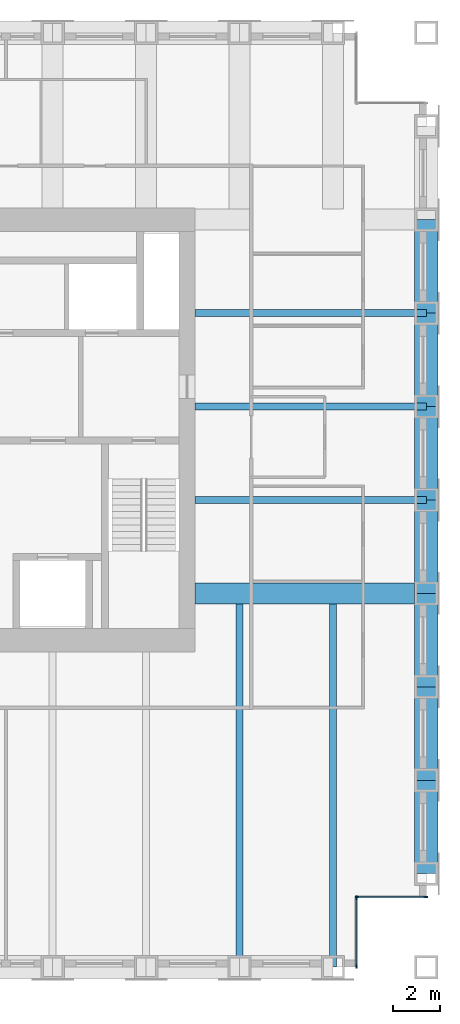
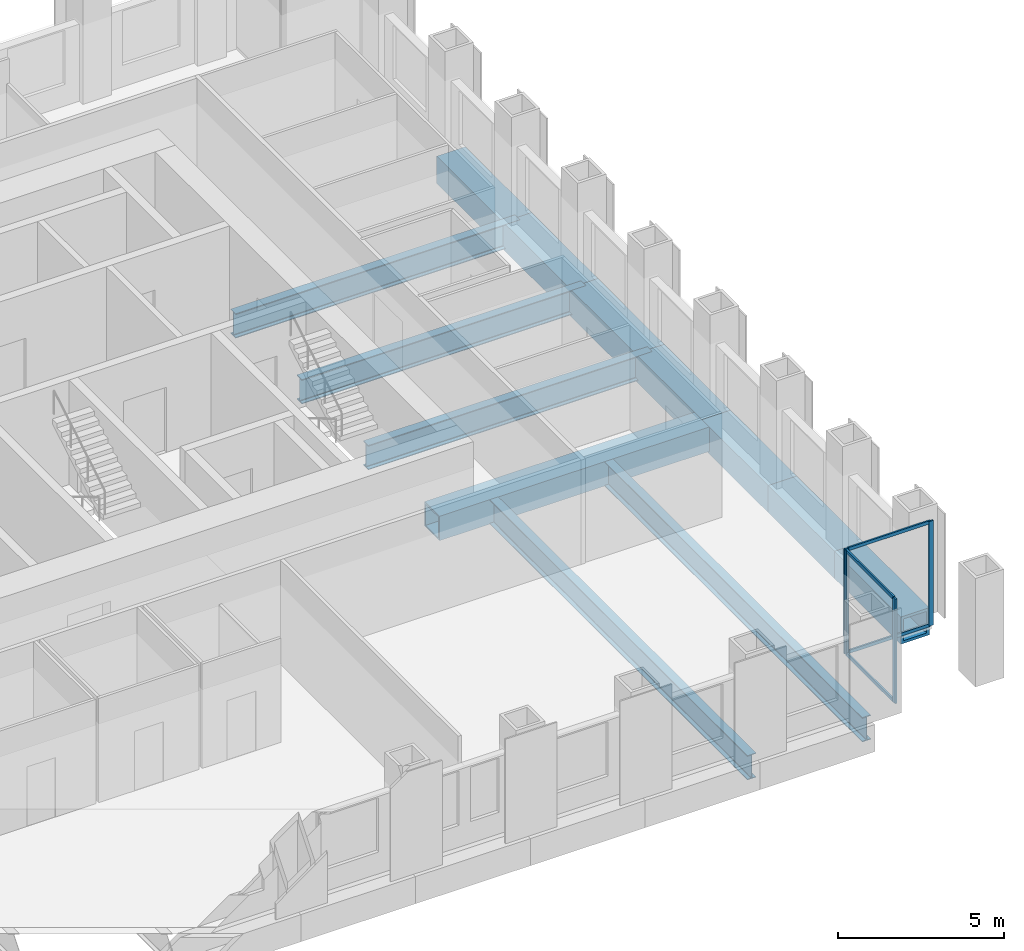
# One storey, part 4 of 13: 13 beams, 8 members, 2 elements without a shape of their own.
"""IFC4 building model written with IfcOpenShell, lengths in metres."""

from ifc_helpers import new_model, si_unit, direction, frame, origin, origin_2d, place, context, subcontext, project, spatial, rectangle, hollow_rectangle, i_section, extrude, material, material_profile, profile_set, type_object, element, aggregate, save


model = new_model("IFC4")

# Units and contexts
model_context = context("Model", 3, precision=1e-05, world=origin(), true_north=direction((0.0, 1.0)))
body_context = subcontext(model_context, "Body", "Model", "MODEL_VIEW")
ifc_project = project(units=[si_unit("LENGTHUNIT", "METRE"), si_unit("AREAUNIT", "SQUARE_METRE"), si_unit("VOLUMEUNIT", "CUBIC_METRE"), si_unit("PLANEANGLEUNIT", "RADIAN"), si_unit("MASSUNIT", "GRAM", prefix="KILO")], contexts=[model_context])

# Site, building, storey
site_placement = place(None, origin())
site = spatial("IfcSite", under=ifc_project, at=site_placement, CompositionType="ELEMENT")
building_placement = place(site_placement, origin())
building = spatial("IfcBuilding", under=site, at=building_placement, Name="Rimbunsela Tower", CompositionType="ELEMENT")
storey_placement = place(building_placement, frame((0.0, 0.0, 286.199951171875)))
storey = spatial("IfcBuildingStorey", under=building, at=storey_placement, Name="L69", CompositionType="ELEMENT", Elevation=286.199951171875)

# Beams
ifc_material_1 = material(Name="Steel BJ 55 (fy 410 MPa)", Category="steel")
ifc_material_profile_1 = material_profile(ifc_material_1, hollow_rectangle(XDim=1.0, YDim=1.0, WallThickness=0.10009765625, at=origin_2d()), Name="BOX 1000x1000x100")
ifc_profile_set_1 = profile_set([ifc_material_profile_1], Name="Steel BJ 55 (fy 410 MPa)")
beam_type_1 = type_object("IfcBeamType", Name="Beam BOX 1000x1000x100", PredefinedType="BEAM", material=ifc_profile_set_1)
for number, where, z_axis, x_axis, name in (
    (1, (46.0, 8.0, -0.64990234375), (0.0, 1.0, 0.0), (-1.0, 0.0, 0.0), "Beam B3 L69"),
    (2, (46.0, 12.0, -0.64990234375), (0.0, 1.0, 0.0), (-1.0, 0.0, 0.0), "Beam B3 L69"),
    (3, (46.0, 16.0, -0.64990234375), (0.0, 1.0, 0.0), (-1.0, 0.0, 0.0), "Beam B3 L69"),
    (4, (46.0, 20.0, -0.64990234375), (0.0, 1.0, 0.0), (-1.0, 0.0, 0.0), "Beam B3 L69"),
    (5, (46.0, 24.0, -0.64990234375), (0.0, 1.0, 0.0), (-1.0, 0.0, 0.0), "Beam B3 L69"),
    (6, (46.0, 28.0, -0.64990234375), (0.0, 1.0, 0.0), (-1.0, 0.0, 0.0), "Beam B3 L69"),
    (7, (46.0, 32.0, -0.64990234375), (0.0, 1.0, 0.0), (-1.0, 0.0, 0.0), "Beam B3 L69"),
):
    element("IfcBeam", number, at=place(storey_placement, frame(where, z_axis=z_axis, x_axis=x_axis)), inside=storey, type_object=beam_type_1, Name=name, PredefinedType="BEAM", context=body_context, shape_type="SweptSolid", body=[
        extrude(hollow_rectangle(XDim=1.0, YDim=1.0, WallThickness=0.10009765625, at=origin_2d()), origin(), (0.0, 0.0, 1.0), 4.0),
    ])
ifc_material_2 = material(Name="Steel BJ 55 (fy 410 MPa)", Category="steel")
ifc_material_profile_2 = material_profile(ifc_material_2, hollow_rectangle(XDim=0.89990234375, YDim=0.89990234375, WallThickness=0.06005859375, at=origin_2d()), Name="BOX 900x900x60")
ifc_profile_set_2 = profile_set([ifc_material_profile_2], Name="Steel BJ 55 (fy 410 MPa)")
beam_type_2 = type_object("IfcBeamType", Name="Beam BOX 900x900x60", PredefinedType="BEAM", material=ifc_profile_set_2)
beam_placement = place(storey_placement, frame((36.10009765625, 20.0, -0.599853515625), z_axis=(1.0, 0.0, 0.0), x_axis=(0.0, 1.0, 0.0)))
element("IfcBeam", 8, at=beam_placement, inside=storey, type_object=beam_type_2, Name="Beam B1 L69", PredefinedType="BEAM", context=body_context, shape_type="SweptSolid", body=[
    extrude(hollow_rectangle(XDim=0.89990234375, YDim=0.89990234375, WallThickness=0.06005859375, at=origin_2d()), origin(), (0.0, 0.0, 1.0), 9.89990234375),
])
ifc_material_3 = material(Name="Steel BJ 55 (fy 410 MPa)", Category="steel")
ifc_material_profile_3 = material_profile(ifc_material_3, i_section(OverallWidth=0.300048828125, OverallDepth=0.89990234375, WebThickness=0.01611328125, FlangeThickness=0.028076171875, FilletRadius=0.028076171875, at=origin_2d()), Name="H 900x300x16x28")
ifc_profile_set_3 = profile_set([ifc_material_profile_3], Name="Steel BJ 55 (fy 410 MPa)")
beam_type_3 = type_object("IfcBeamType", Name="Beam H 900x300x16x28", PredefinedType="BEAM", material=ifc_profile_set_3)
for number, where, z_axis, x_axis, name in (
    (9, (36.10009765625, 24.0, -0.599853515625), (1.0, 0.0, 0.0), (0.0, 1.0, 0.0), "Beam B2 L69"),
    (10, (36.10009765625, 28.0, -0.599853515625), (1.0, 0.0, 0.0), (0.0, 1.0, 0.0), "Beam B2 L69"),
    (11, (36.10009765625, 32.0, -0.599853515625), (1.0, 0.0, 0.0), (0.0, 1.0, 0.0), "Beam B2 L69"),
):
    element("IfcBeam", number, at=place(storey_placement, frame(where, z_axis=z_axis, x_axis=x_axis)), inside=storey, type_object=beam_type_3, Name=name, PredefinedType="BEAM", context=body_context, shape_type="SweptSolid", body=[
        extrude(i_section(OverallWidth=0.300048828125, OverallDepth=0.89990234375, WebThickness=0.01611328125, FlangeThickness=0.028076171875, FilletRadius=0.028076171875, at=origin_2d()), origin(), (0.0, 0.0, 1.0), 9.89990234375),
    ])
for number, where, z_axis, x_axis, name in (
    (12, (38.0, 4.0, -0.599853515625), (0.0, 1.0, 0.0), (-1.0, 0.0, 0.0), "Beam B2 L69"),
    (13, (42.0, 4.0, -0.599853515625), (0.0, 1.0, 0.0), (-1.0, 0.0, 0.0), "Beam B2 L69"),
):
    element("IfcBeam", number, at=place(storey_placement, frame(where, z_axis=z_axis, x_axis=x_axis)), inside=storey, type_object=beam_type_3, Name=name, PredefinedType="BEAM", context=body_context, shape_type="SweptSolid", body=[
        extrude(i_section(OverallWidth=0.300048828125, OverallDepth=0.89990234375, WebThickness=0.01611328125, FlangeThickness=0.028076171875, FilletRadius=0.028076171875, at=origin_2d()), origin(), (0.0, 0.0, 1.0), 15.550048828125),
    ])

# Curtain wall, members
ifc_material_4 = material(Name="Aluminium curtain wall", Category="aluminium")
curtain_wall_type = type_object("IfcCurtainWallType", Name="Corner glazing", PredefinedType="USERDEFINED", material=ifc_material_4)
curtain_wall_1_placement = place(storey_placement, origin())
curtain_wall_1 = element("IfcCurtainWall", 14, at=curtain_wall_1_placement, inside=storey, type_object=curtain_wall_type, Name="Corner glazing L69", ObjectType="CORNER GLAZING", PredefinedType="USERDEFINED")
ifc_material_5 = material(Name="Aluminium mullion", Category="aluminium")
ifc_material_profile_4 = material_profile(ifc_material_5, rectangle(XDim=0.06005859375, YDim=0.159912109375, at=origin_2d()), Name="Mullion 60x160")
ifc_profile_set_4 = profile_set([ifc_material_profile_4], Name="Aluminium mullion")
member_type_1 = type_object("IfcMemberType", Name="Curtain wall mullion 60x160", PredefinedType="MULLION", material=ifc_profile_set_4)
member_1_placement = place(storey_placement, frame((43.0, 4.030029296875, 0.0), z_axis=(0.0, 0.0, 1.0), x_axis=(-1.0, 0.0, 0.0)))
member_1 = element("IfcMember", 15, at=member_1_placement, type_object=member_type_1, Name="CW5 mullion 1", PredefinedType="MULLION", context=body_context, shape_type="SweptSolid", body=[
    extrude(rectangle(XDim=0.06005859375, YDim=0.159912109375, at=origin_2d()), origin(), (0.0, 0.0, 1.0), 3.85009765625),
])
member_2_placement = place(storey_placement, frame((43.0, 6.969970703125, 0.0), z_axis=(0.0, 0.0, 1.0), x_axis=(-1.0, 0.0, 0.0)))
member_2 = element("IfcMember", 16, at=member_2_placement, type_object=member_type_1, Name="CW5 mullion 2", PredefinedType="MULLION", context=body_context, shape_type="SweptSolid", body=[
    extrude(rectangle(XDim=0.06005859375, YDim=0.159912109375, at=origin_2d()), origin(), (0.0, 0.0, 1.0), 3.85009765625),
])

curtain_wall_2_placement = place(storey_placement, origin())
curtain_wall_2 = element("IfcCurtainWall", 17, at=curtain_wall_2_placement, inside=storey, type_object=curtain_wall_type, Name="Corner glazing L69", ObjectType="CORNER GLAZING", PredefinedType="USERDEFINED")
member_3_placement = place(storey_placement, frame((43.030029296875, 7.0, 0.0), z_axis=(0.0, 0.0, 1.0), x_axis=(0.0, 1.0, 0.0)))
member_3 = element("IfcMember", 18, at=member_3_placement, type_object=member_type_1, Name="CW5 mullion 1", PredefinedType="MULLION", context=body_context, shape_type="SweptSolid", body=[
    extrude(rectangle(XDim=0.06005859375, YDim=0.159912109375, at=origin_2d()), origin(), (0.0, 0.0, 1.0), 3.85009765625),
])
member_4_placement = place(storey_placement, frame((45.969970703125, 7.0, 0.0), z_axis=(0.0, 0.0, 1.0), x_axis=(0.0, 1.0, 0.0)))
member_4 = element("IfcMember", 19, at=member_4_placement, type_object=member_type_1, Name="CW5 mullion 2", PredefinedType="MULLION", context=body_context, shape_type="SweptSolid", body=[
    extrude(rectangle(XDim=0.06005859375, YDim=0.159912109375, at=origin_2d()), origin(), (0.0, 0.0, 1.0), 3.85009765625),
])

# Member
ifc_material_6 = material(Name="Aluminium transom", Category="aluminium")
ifc_material_profile_5 = material_profile(ifc_material_6, rectangle(XDim=0.06005859375, YDim=0.1201171875, at=origin_2d()), Name="Transom 60x120")
ifc_profile_set_5 = profile_set([ifc_material_profile_5], Name="Aluminium transom")
member_type_2 = type_object("IfcMemberType", Name="Curtain wall transom 60x120", PredefinedType="USERDEFINED", material=ifc_profile_set_5)
member_5_placement = place(storey_placement, frame((43.0, 4.06005859375, 0.030029296875), z_axis=(0.0, 1.0, 0.0), x_axis=(-1.0, 0.0, 0.0)))
member_5 = element("IfcMember", 20, at=member_5_placement, type_object=member_type_2, Name="CW5 transom 1.1", ObjectType="TRANSOM", PredefinedType="USERDEFINED", context=body_context, shape_type="SweptSolid", body=[
    extrude(rectangle(XDim=0.06005859375, YDim=0.1201171875, at=origin_2d()), origin(), (0.0, 0.0, 1.0), 2.8798828125),
])

member_6_placement = place(storey_placement, frame((43.0, 4.06005859375, 3.820068359375), z_axis=(0.0, 1.0, 0.0), x_axis=(-1.0, 0.0, 0.0)))
member_6 = element("IfcMember", 21, at=member_6_placement, type_object=member_type_2, Name="CW5 transom 1.2", ObjectType="TRANSOM", PredefinedType="USERDEFINED", context=body_context, shape_type="SweptSolid", body=[
    extrude(rectangle(XDim=0.06005859375, YDim=0.1201171875, at=origin_2d()), origin(), (0.0, 0.0, 1.0), 2.8798828125),
])

aggregate(curtain_wall_1, [member_1, member_2, member_5, member_6])

member_7_placement = place(storey_placement, frame((43.06005859375, 7.0, 0.030029296875), z_axis=(1.0, 0.0, 0.0), x_axis=(0.0, 1.0, 0.0)))
member_7 = element("IfcMember", 22, at=member_7_placement, type_object=member_type_2, Name="CW5 transom 1.1", ObjectType="TRANSOM", PredefinedType="USERDEFINED", context=body_context, shape_type="SweptSolid", body=[
    extrude(rectangle(XDim=0.06005859375, YDim=0.1201171875, at=origin_2d()), origin(), (0.0, 0.0, 1.0), 2.8798828125),
])

member_8_placement = place(storey_placement, frame((43.06005859375, 7.0, 3.820068359375), z_axis=(1.0, 0.0, 0.0), x_axis=(0.0, 1.0, 0.0)))
member_8 = element("IfcMember", 23, at=member_8_placement, type_object=member_type_2, Name="CW5 transom 1.2", ObjectType="TRANSOM", PredefinedType="USERDEFINED", context=body_context, shape_type="SweptSolid", body=[
    extrude(rectangle(XDim=0.06005859375, YDim=0.1201171875, at=origin_2d()), origin(), (0.0, 0.0, 1.0), 2.8798828125),
])

aggregate(curtain_wall_2, [member_3, member_4, member_7, member_8])

save(model, "model.ifc")
